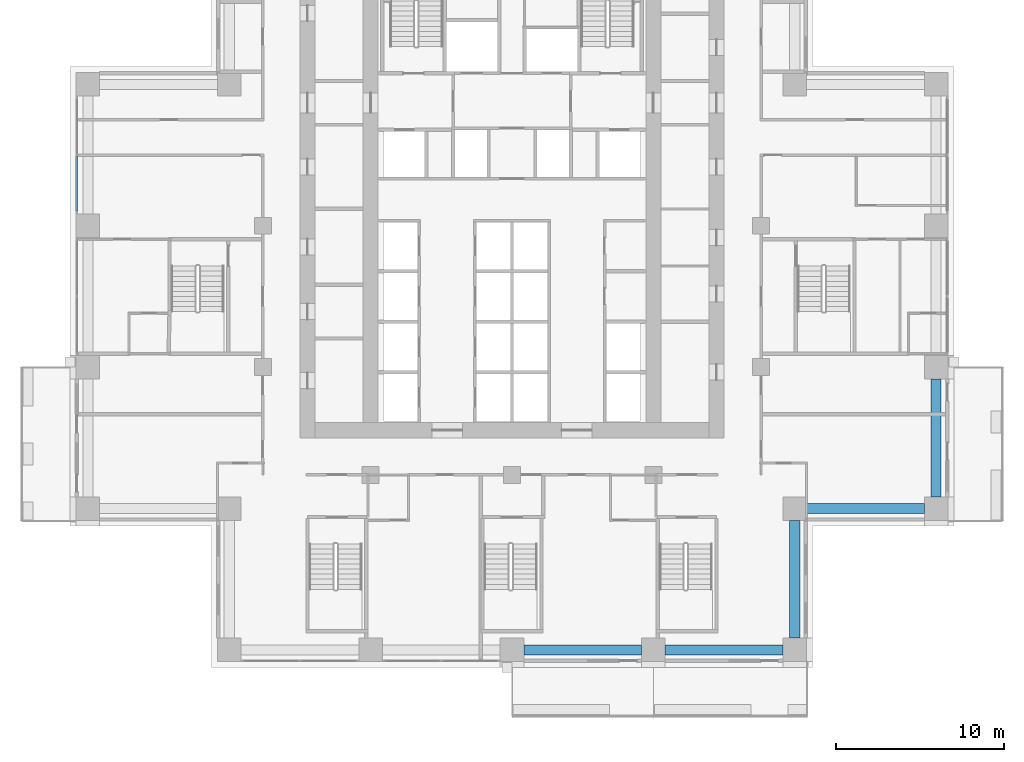
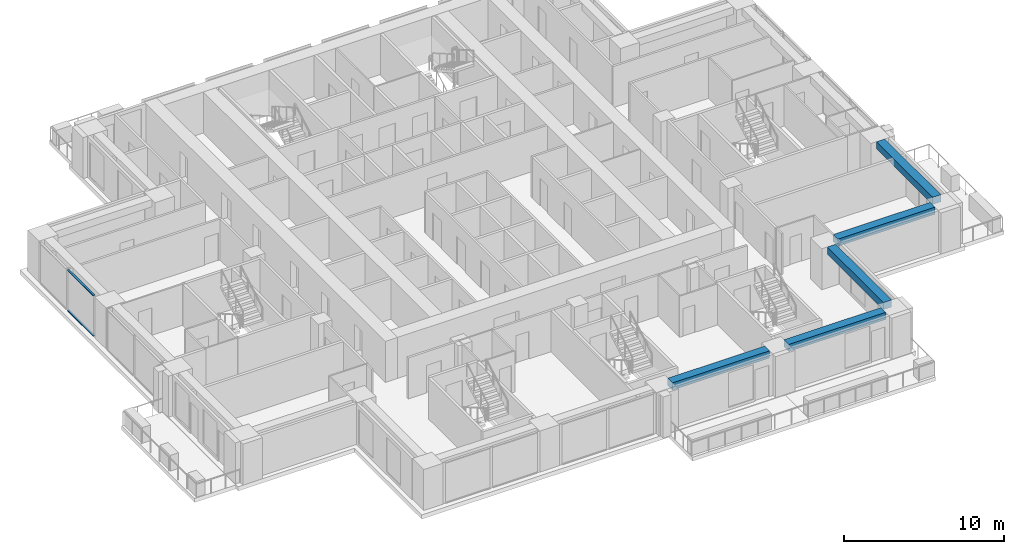
# One storey, part 3 of 17: 5 beams, 2 members, 1 element without a shape of its own.
"""IFC4 building model written with IfcOpenShell, lengths in metres."""

from ifc_helpers import new_model, si_unit, direction, frame, origin, origin_2d, place, context, subcontext, project, spatial, rectangle, extrude, material, material_profile, profile_set, type_object, element, aggregate, save


model = new_model("IFC4")

# Units and contexts
model_context = context("Model", 3, precision=1e-05, world=origin(), true_north=direction((0.0, 1.0)))
body_context = subcontext(model_context, "Body", "Model", "MODEL_VIEW")
ifc_project = project(units=[si_unit("LENGTHUNIT", "METRE"), si_unit("AREAUNIT", "SQUARE_METRE"), si_unit("VOLUMEUNIT", "CUBIC_METRE"), si_unit("PLANEANGLEUNIT", "RADIAN"), si_unit("MASSUNIT", "GRAM", prefix="KILO")], contexts=[model_context])

# Site, building, storey
site_placement = place(None, origin())
site = spatial("IfcSite", under=ifc_project, at=site_placement, CompositionType="ELEMENT")
building_placement = place(site_placement, origin())
building = spatial("IfcBuilding", under=site, at=building_placement, Name="Vermilion Ogive Tower", CompositionType="ELEMENT")
storey_placement = place(building_placement, frame((0.0, 0.0, 65.550048828125)))
storey = spatial("IfcBuildingStorey", under=building, at=storey_placement, Name="L15", CompositionType="ELEMENT", Elevation=65.550048828125)

# Curtain wall, members
ifc_material_1 = material(Name="Low-iron laminated glazing in aluminium frame", Category="aluminium")
curtain_wall_type = type_object("IfcCurtainWallType", Name="Curtain wall CW7", PredefinedType="NOTDEFINED", material=ifc_material_1)
curtain_wall_placement = place(storey_placement, origin())
curtain_wall = element("IfcCurtainWall", 1, at=curtain_wall_placement, inside=storey, type_object=curtain_wall_type, Name="Glazed skin W1", PredefinedType="NOTDEFINED")
ifc_material_2 = material(Name="Aluminium transom", Category="aluminium")
ifc_material_profile_1 = material_profile(ifc_material_2, rectangle(XDim=0.139892578125, YDim=0.06005859375, at=origin_2d()), Name="AL 60x140")
ifc_profile_set_1 = profile_set([ifc_material_profile_1], Name="Aluminium transom")
member_type = type_object("IfcMemberType", Name="CW7 transom 60x140", PredefinedType="USERDEFINED", material=ifc_profile_set_1)
member_1_placement = place(storey_placement, frame((-25.85009765625, 8.31005859375, 0.030029296875), z_axis=(0.0, -1.0, 0.0), x_axis=(1.0, 0.0, 0.0)))
member_1 = element("IfcMember", 2, at=member_1_placement, type_object=member_type, Name="CW7-W1 transom 2.1", ObjectType="TRANSOM", PredefinedType="USERDEFINED", context=body_context, shape_type="SweptSolid", body=[
    extrude(rectangle(XDim=0.139892578125, YDim=0.06005859375, at=origin_2d()), origin(), (0.0, 0.0, 1.0), 3.22998046875),
])
member_2_placement = place(storey_placement, frame((-25.85009765625, 8.31005859375, 3.099853515625), z_axis=(0.0, -1.0, 0.0), x_axis=(1.0, 0.0, 0.0)))
member_2 = element("IfcMember", 3, at=member_2_placement, type_object=member_type, Name="CW7-W1 transom 2.2", ObjectType="TRANSOM", PredefinedType="USERDEFINED", context=body_context, shape_type="SweptSolid", body=[
    extrude(rectangle(XDim=0.139892578125, YDim=0.06005859375, at=origin_2d()), origin(), (0.0, 0.0, 1.0), 3.22998046875),
])
aggregate(curtain_wall, [member_1, member_2])

# Beams
ifc_material_3 = material(Name="Concrete B45", Category="concrete")
ifc_material_profile_2 = material_profile(ifc_material_3, rectangle(XDim=0.60009765625, YDim=0.550048828125, at=origin_2d()), Name="600 x 550")
ifc_profile_set_2 = profile_set([ifc_material_profile_2], Name="Concrete B45")
beam_type = type_object("IfcBeamType", Name="Edge beam 600 x 550 B45", PredefinedType="BEAM", material=ifc_profile_set_2)
for number, where, z_axis, x_axis, name in (
    (4, (0.699951171875, -21.0, 2.85498046875), (1.0, 0.0, 0.0), (0.0, 1.0, 0.0), "L15-EB-3"),
    (5, (9.10009765625, -21.0, 2.85498046875), (1.0, 0.0, 0.0), (0.0, 1.0, 0.0), "L15-EB-4"),
    (6, (16.800048828125, -20.300048828125, 2.85498046875), (0.0, 1.0, 0.0), (-1.0, 0.0, 0.0), "L15-EB-5"),
    (7, (17.5, -12.60009765625, 2.85498046875), (1.0, 0.0, 0.0), (0.0, 1.0, 0.0), "L15-EB-6"),
    (8, (25.199951171875, -11.89990234375, 2.85498046875), (0.0, 1.0, 0.0), (-1.0, 0.0, 0.0), "L15-EB-7"),
):
    element("IfcBeam", number, at=place(storey_placement, frame(where, z_axis=z_axis, x_axis=x_axis)), inside=storey, type_object=beam_type, Name=name, PredefinedType="BEAM", context=body_context, shape_type="SweptSolid", body=[
        extrude(rectangle(XDim=0.60009765625, YDim=0.550048828125, at=origin_2d()), origin(), (0.0, 0.0, 1.0), 7.0),
    ])

save(model, "model.ifc")
